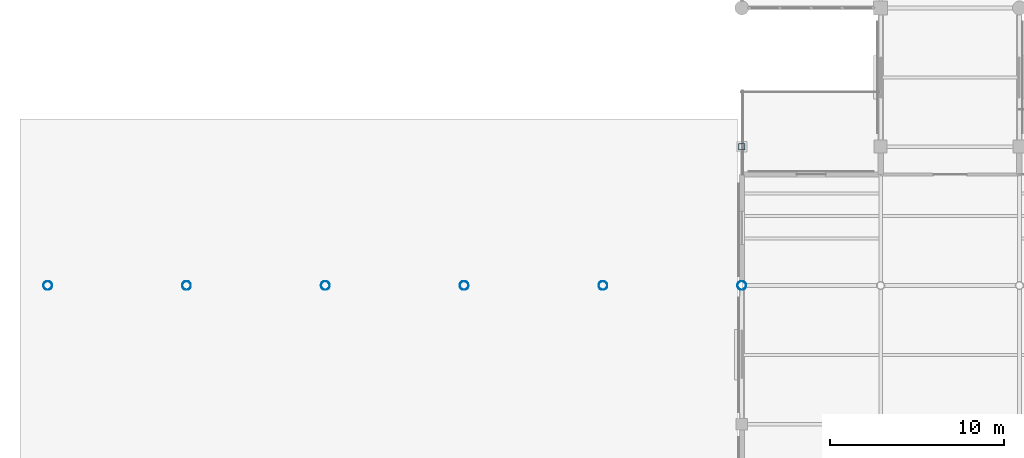
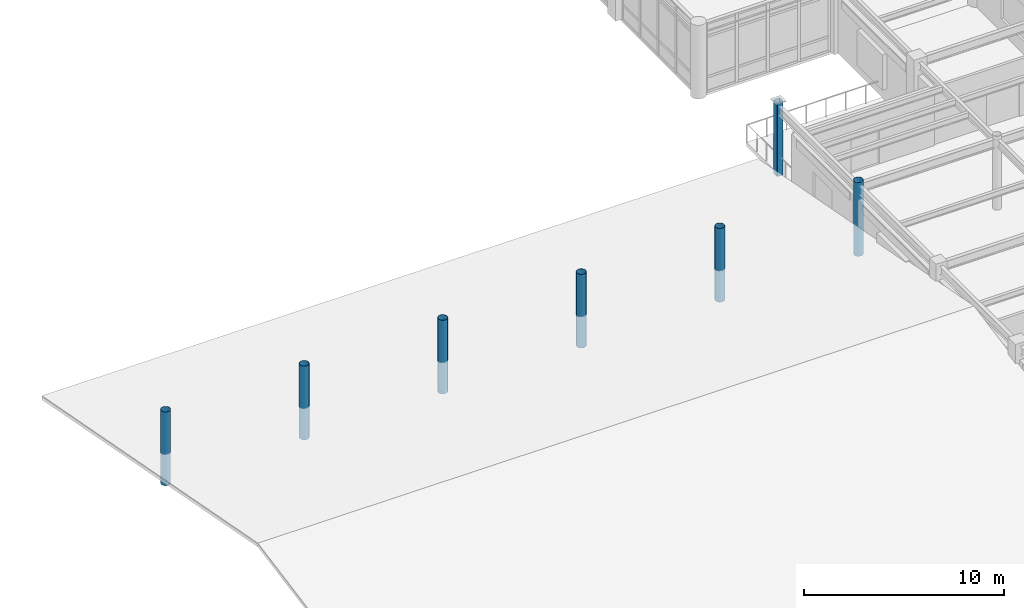
# One storey, part 2 of 111: 7 columns.
"""IFC4 building model written with IfcOpenShell, lengths in metres."""

from ifc_helpers import new_model, si_unit, direction, frame, origin, origin_2d, place, context, subcontext, project, spatial, hollow_rectangle, hollow_circle, extrude, material, material_profile, profile_set, type_object, element, save


model = new_model("IFC4")

# Units and contexts
model_context = context("Model", 3, precision=1e-05, world=origin(), true_north=direction((0.0, 1.0)))
body_context = subcontext(model_context, "Body", "Model", "MODEL_VIEW")
ifc_project = project(units=[si_unit("LENGTHUNIT", "METRE"), si_unit("AREAUNIT", "SQUARE_METRE"), si_unit("VOLUMEUNIT", "CUBIC_METRE"), si_unit("PLANEANGLEUNIT", "RADIAN"), si_unit("MASSUNIT", "GRAM", prefix="KILO")], contexts=[model_context])

# Site, building, storey
site_placement = place(None, origin())
site = spatial("IfcSite", under=ifc_project, at=site_placement, CompositionType="ELEMENT")
building_placement = place(site_placement, origin())
building = spatial("IfcBuilding", under=site, at=building_placement, Name="Solmirada Galleria", CompositionType="ELEMENT")
storey_placement = place(building_placement, frame((0.0, 0.0, 10.39990234375)))
storey = spatial("IfcBuildingStorey", under=building, at=storey_placement, Name="L02", CompositionType="ELEMENT", Elevation=10.39990234375)

# Columns
ifc_material = material(Name="Steel S355 / ASTM A500 Grade C", Category="steel")
ifc_material_profile_1 = material_profile(ifc_material, hollow_circle(Radius=0.25390625, WallThickness=0.01171875, at=origin_2d()), Name="HSS20.000X0.500")
ifc_profile_set_1 = profile_set([ifc_material_profile_1], Name="Steel S355 / ASTM A500 Grade C")
column_type_1 = type_object("IfcColumnType", Name="COL-CHS20", PredefinedType="COLUMN", material=ifc_profile_set_1)
for number, where, z_axis, x_axis, name in (
    (1, (40.0, 32.0, 0.0), (0.0, 0.0, 1.0), (1.0, 0.0, 0.0), "Structural column L02-0032"),
    (2, (48.0, 32.0, 0.0), (0.0, 0.0, 1.0), (1.0, 0.0, 0.0), "Structural column L02-0095"),
    (3, (56.0, 32.0, 0.0), (0.0, 0.0, 1.0), (1.0, 0.0, 0.0), "Structural column L02-0162"),
    (4, (64.0, 32.0, 0.0), (0.0, 0.0, 1.0), (1.0, 0.0, 0.0), "Structural column L02-0226"),
    (5, (72.0, 32.0, 0.0), (0.0, 0.0, 1.0), (1.0, 0.0, 0.0), "Structural column L02-0293"),
    (6, (80.0, 32.0, 0.0), (0.0, 0.0, 1.0), (1.0, 0.0, 0.0), "Structural column L02-0379"),
):
    element("IfcColumn", number, at=place(storey_placement, frame(where, z_axis=z_axis, x_axis=x_axis)), inside=storey, type_object=column_type_1, Name=name, PredefinedType="COLUMN", context=body_context, shape_type="SweptSolid", body=[
        extrude(hollow_circle(Radius=0.25390625, WallThickness=0.01171875, at=origin_2d()), origin(), (0.0, 0.0, 1.0), 4.5),
    ])
ifc_material_profile_2 = material_profile(ifc_material, hollow_rectangle(XDim=0.35595703125, YDim=0.35595703125, WallThickness=0.01171875, InnerFilletRadius=0.01171875, OuterFilletRadius=0.023681640625, at=origin_2d()), Name="HSS14X14X1/2")
ifc_profile_set_2 = profile_set([ifc_material_profile_2], Name="Steel S355 / ASTM A500 Grade C")
column_type_2 = type_object("IfcColumnType", Name="COL-HSS14", PredefinedType="COLUMN", material=ifc_profile_set_2)
column_placement = place(storey_placement, frame((80.0, 40.0, 0.0), z_axis=(0.0, 0.0, 1.0), x_axis=(1.0, 0.0, 0.0)))
element("IfcColumn", 7, at=column_placement, inside=storey, type_object=column_type_2, Name="Structural column L02-0386", PredefinedType="COLUMN", context=body_context, shape_type="SweptSolid", body=[
    extrude(hollow_rectangle(XDim=0.35595703125, YDim=0.35595703125, WallThickness=0.01171875, InnerFilletRadius=0.01171875, OuterFilletRadius=0.023681640625, at=origin_2d()), origin(), (0.0, 0.0, 1.0), 4.5),
])

save(model, "model.ifc")
